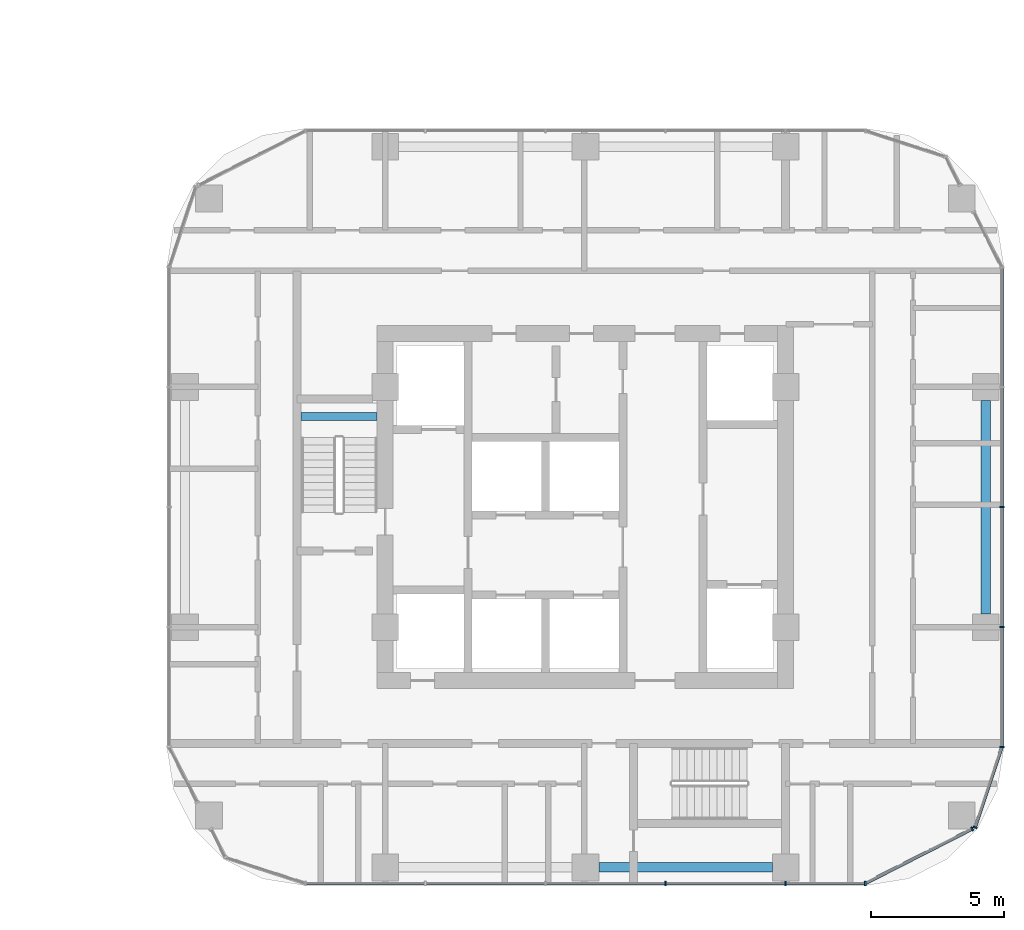
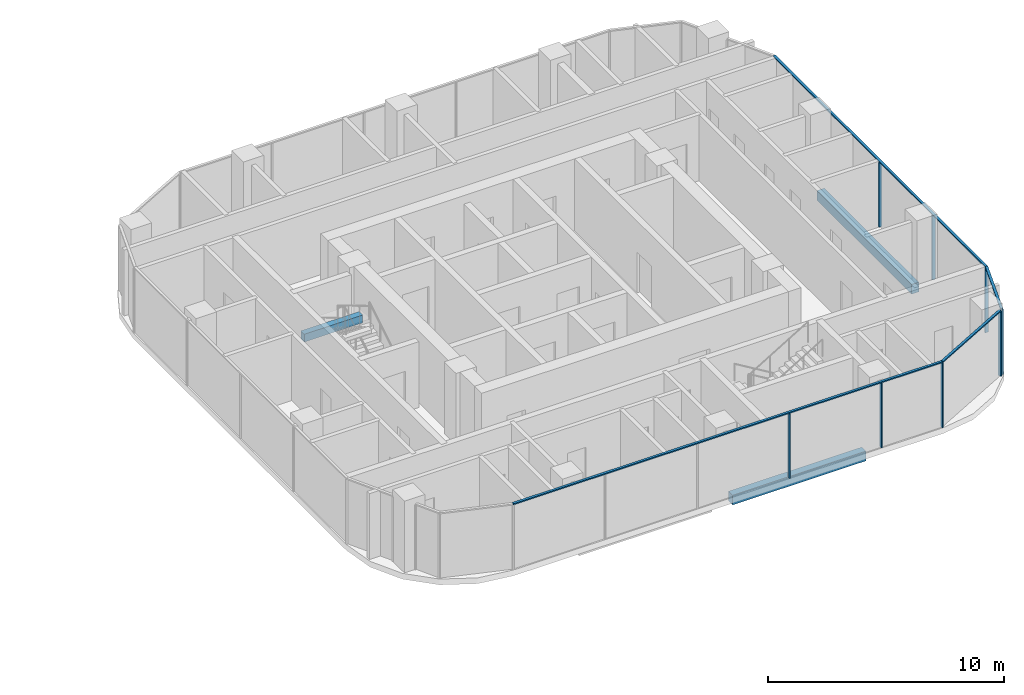
# One storey, part 9 of 31: 12 members, 3 beams, 4 elements without a shape of their own.
"""IFC4 building model written with IfcOpenShell, lengths in metres."""

import ifcopenshell
import ifcopenshell.guid

model = None  # the IFC model being written
_history = None  # IfcOwnerHistory: only IFC2X3 demands one
_inside = {}  # id of a spatial element -> (the spatial element, [elements in it])
_under = {}  # id of a project, library or spatial element -> (it, [spatial elements below it])
_declared = {}  # id of a project -> (the project, [libraries it declares])
_typed = {}  # id of a type object -> (the type object, [elements of that type])
_made_of = {}  # id of a material, layer set ... -> (it, [elements and type objects made of it])


def new_model(schema):
    """Start an empty IFC model of exactly this schema.

    Asked for "IFC4X3", IfcOpenShell would pick the latest addendum, in which some entities
    have other attributes; the version numbers below select the first issue.
    IFC2X3 requires an IfcOwnerHistory on every rooted entity: one is made here for all.
    """
    global model, _history
    if schema == "IFC4X3":
        model = ifcopenshell.file(schema_version=(4, 3, 0, 0))
    else:
        model = ifcopenshell.file(schema=schema)
    _inside.clear()
    _under.clear()
    _declared.clear()
    _typed.clear()
    _made_of.clear()
    _history = None
    if model.schema == "IFC2X3":
        org = make("IfcOrganization", Name="unknown")
        user = make(
            "IfcPersonAndOrganization",
            ThePerson=make("IfcPerson", FamilyName="unknown"),
            TheOrganization=org,
        )
        app = make(
            "IfcApplication",
            ApplicationDeveloper=org,
            Version="unknown",
            ApplicationFullName="unknown",
            ApplicationIdentifier="unknown",
        )
        _history = make(
            "IfcOwnerHistory",
            OwningUser=user,
            OwningApplication=app,
            ChangeAction="ADDED",
            CreationDate=0,
        )
    return model


def make(cls, **values):
    """One entity of the class cls with the attributes given. An attribute that is None is left unset."""
    return model.create_entity(
        cls, **{name: value for name, value in values.items() if value is not None}
    )


def rooted(cls, **values):
    """An entity with a GlobalId (a new one), such as an element, a storey or a relation."""
    return make(cls, GlobalId=ifcopenshell.guid.new(), OwnerHistory=_history, **values)


def si_unit(unit_type, name, prefix=None):
    """IfcSIUnit, for example si_unit("LENGTHUNIT", "METRE", prefix="MILLI")."""
    return make("IfcSIUnit", UnitType=unit_type, Prefix=prefix, Name=name)


def assignment(units):
    """IfcUnitAssignment: the units of a project."""
    return None if units is None else make("IfcUnitAssignment", Units=units)


def point(xyz):
    """IfcCartesianPoint."""
    return None if xyz is None else make("IfcCartesianPoint", Coordinates=xyz)


def direction(xyz):
    """IfcDirection."""
    return None if xyz is None else make("IfcDirection", DirectionRatios=xyz)


def frame(location, z_axis=None, x_axis=None):
    """IfcAxis2Placement3D, a coordinate frame: its origin and axes. An axis left out is left unset."""
    return make(
        "IfcAxis2Placement3D",
        Location=point(location),
        Axis=direction(z_axis),
        RefDirection=direction(x_axis),
    )


def frame_2d(location, x_axis=None):
    """IfcAxis2Placement2D, a coordinate frame in the plane: its origin and x axis."""
    return make(
        "IfcAxis2Placement2D", Location=point(location), RefDirection=direction(x_axis)
    )


def origin():
    """The frame at (0, 0, 0) with its axes left unset."""
    return frame((0.0, 0.0, 0.0))


def origin_2d():
    """The frame at (0, 0) in the plane with its x axis left unset."""
    return frame_2d((0.0, 0.0))


def place(relative_to, where):
    """IfcLocalPlacement: puts the frame where relative to a parent placement (None: the world)."""
    return make(
        "IfcLocalPlacement", PlacementRelTo=relative_to, RelativePlacement=where
    )


def context(
    kind, dimensions, precision=None, world=None, true_north=None, identifier=None
):
    """IfcGeometricRepresentationContext, for example the 3D "Model" context."""
    return make(
        "IfcGeometricRepresentationContext",
        ContextIdentifier=identifier,
        ContextType=kind,
        CoordinateSpaceDimension=dimensions,
        Precision=precision,
        WorldCoordinateSystem=world,
        TrueNorth=true_north,
    )


def subcontext(parent, identifier, kind, view, scale=None):
    """IfcGeometricRepresentationSubContext, for example "Body" below "Model"."""
    return make(
        "IfcGeometricRepresentationSubContext",
        ContextIdentifier=identifier,
        ContextType=kind,
        ParentContext=parent,
        TargetScale=scale,
        TargetView=view,
    )


def project(units=None, contexts=None):
    """IfcProject with its units and contexts."""
    return rooted(
        "IfcProject",
        Name="project",
        RepresentationContexts=contexts,
        UnitsInContext=assignment(units),
    )


def spatial(cls, under=None, at=None, **own):
    """A site, building, storey or space (cls), placed at a placement, below another one or the project."""
    s = rooted(cls, ObjectPlacement=at, **own)
    if under is not None:
        _under.setdefault(under.id(), (under, []))[1].append(s)
    return s


def profile(cls, at=None, kind="AREA", **sizes):
    """A parametric profile (cls). Its sizes go by their IFC names, for example OverallWidth=200.0."""
    return make(cls, ProfileType=kind, Position=at, **sizes)


def rectangle(**sizes):
    """IfcRectangleProfileDef."""
    return profile("IfcRectangleProfileDef", **sizes)


def extrude(swept, where, along, depth):
    """IfcExtrudedAreaSolid: the profile swept, set in the frame where, extruded along a direction by depth."""
    return make(
        "IfcExtrudedAreaSolid",
        SweptArea=swept,
        Position=where,
        ExtrudedDirection=direction(along),
        Depth=depth,
    )


def shape(context_of_items, identifier, shape_type, items):
    """IfcShapeRepresentation: the items that make up one representation, for example the "Body"."""
    return make(
        "IfcShapeRepresentation",
        ContextOfItems=context_of_items,
        RepresentationIdentifier=identifier,
        RepresentationType=shape_type,
        Items=items,
    )


def material(Name=None, Category=None):
    """IfcMaterial."""
    return make("IfcMaterial", Name=Name, Category=Category)


def material_profile(
    of_material, cross_section, Name=None, Category=None, Priority=None
):
    """IfcMaterialProfile: a cross section and its material."""
    return make(
        "IfcMaterialProfile",
        Name=Name,
        Material=of_material,
        Profile=cross_section,
        Priority=Priority,
        Category=Category,
    )


def profile_set(profiles, Name=None, composite=None):
    """IfcMaterialProfileSet."""
    return make(
        "IfcMaterialProfileSet",
        Name=Name,
        MaterialProfiles=profiles,
        CompositeProfile=composite,
    )


def made_of(thing, what):
    """Note that an element or type object is made of a material, layer set ...; save() writes the relation."""
    if what is not None:
        _made_of.setdefault(what.id(), (what, []))[1].append(thing)
    return thing


def type_object(cls, material=None, **own):
    """A type object (cls), such as IfcWallType, which elements share."""
    return made_of(rooted(cls, **own), material)


def element(
    cls,
    number,
    at=None,
    inside=None,
    cuts=None,
    type_object=None,
    material=None,
    context=None,
    identifier="Body",
    shape_type=None,
    held_by="IfcProductDefinitionShape",
    body=None,
    shapes=None,
    **own,
):
    """One element of the class cls, such as IfcWall. Its Tag is "e" and its number.

    at: its placement. inside: the storey or other place that contains it. cuts: it is an
    opening in that element (IfcRelVoidsElement). A single representation is given by context,
    identifier, shape_type and body (its items); several are given by shapes. held_by: the class
    of the entity that holds the representations. save() writes the other relations.
    """
    e = rooted(cls, Tag="e%d" % number, ObjectPlacement=at, **own)
    if body is not None:
        shapes = [shape(context, identifier, shape_type, body)]
    if shapes is not None:
        e.Representation = make(held_by, Representations=shapes)
    if inside is not None:
        _inside.setdefault(inside.id(), (inside, []))[1].append(e)
    if cuts is not None:
        rooted(
            "IfcRelVoidsElement", RelatingBuildingElement=cuts, RelatedOpeningElement=e
        )
    if type_object is not None:
        _typed.setdefault(type_object.id(), (type_object, []))[1].append(e)
    return made_of(e, material)


def aggregate(whole, parts):
    """IfcRelAggregates: a whole, such as a stair, and the parts it consists of."""
    return rooted("IfcRelAggregates", RelatingObject=whole, RelatedObjects=parts)


def save(model, path):
    """Write the relations noted so far, then the file.

    IfcRelAggregates (storeys below a building ...), IfcRelContainedInSpatialStructure (elements
    in a storey), IfcRelDefinesByType, IfcRelAssociatesMaterial and IfcRelDeclares: one each for
    every whole, place, type object, material and project.
    """
    for whole, parts in _under.values():
        aggregate(whole, parts)
    for where, things in _inside.values():
        rooted(
            "IfcRelContainedInSpatialStructure",
            RelatedElements=things,
            RelatingStructure=where,
        )
    for kind, things in _typed.values():
        rooted("IfcRelDefinesByType", RelatedObjects=things, RelatingType=kind)
    for what, things in _made_of.values():
        rooted("IfcRelAssociatesMaterial", RelatedObjects=things, RelatingMaterial=what)
    for by, libraries in _declared.values():
        rooted("IfcRelDeclares", RelatingContext=by, RelatedDefinitions=libraries)
    model.write(path)


model = new_model("IFC4")

# Units and contexts
model_context = context("Model", 3, precision=1e-05, world=origin(), true_north=direction((0.0, 1.0)))
body_context = subcontext(model_context, "Body", "Model", "MODEL_VIEW")
ifc_project = project(units=[si_unit("LENGTHUNIT", "METRE"), si_unit("AREAUNIT", "SQUARE_METRE"), si_unit("VOLUMEUNIT", "CUBIC_METRE"), si_unit("PLANEANGLEUNIT", "RADIAN"), si_unit("MASSUNIT", "GRAM", prefix="KILO")], contexts=[model_context])

# Site, building, storey
site_placement = place(None, origin())
site = spatial("IfcSite", under=ifc_project, at=site_placement, CompositionType="ELEMENT")
building_placement = place(site_placement, origin())
building = spatial("IfcBuilding", under=site, at=building_placement, Name="Ogive Portal Towers", CompositionType="ELEMENT")
storey_placement = place(building_placement, frame((0.0, 0.0, 40.89990234375)))
storey = spatial("IfcBuildingStorey", under=building, at=storey_placement, Name="L08", CompositionType="ELEMENT", Elevation=40.89990234375)

# Beam
ifc_material_1 = material(Name="Concrete C40/50", Category="concrete")
ifc_material_profile_1 = material_profile(ifc_material_1, rectangle(XDim=0.300048828125, YDim=0.39990234375, at=origin_2d()), Name="RC 300x400")
ifc_profile_set_1 = profile_set([ifc_material_profile_1], Name="Concrete C40/50")
beam_type_1 = type_object("IfcBeamType", Name="BEAM RC 300x400", PredefinedType="BEAM", material=ifc_profile_set_1)
beam_1_placement = place(storey_placement, frame((125.85009765625, 34.39990234375, 1.4501953125), z_axis=(1.0, 0.0, 0.0), x_axis=(0.0, 1.0, 0.0)))
element("IfcBeam", 1, at=beam_1_placement, inside=storey, type_object=beam_type_1, Name="Landing beam L08", PredefinedType="BEAM", context=body_context, shape_type="SweptSolid", body=[
    extrude(rectangle(XDim=0.300048828125, YDim=0.39990234375, at=origin_2d()), origin(), (0.0, 0.0, 1.0), 2.849853515625),
])

# Curtain wall, members
ifc_material_2 = material(Name="Glass, clear low-iron insulated glazing", Category="glass")
curtain_wall_type = type_object("IfcCurtainWallType", Name="CW RESIDENCES RIBBON", PredefinedType="NOTDEFINED", material=ifc_material_2)
curtain_wall_1_placement = place(storey_placement, origin())
curtain_wall_1 = element("IfcCurtainWall", 2, at=curtain_wall_1_placement, inside=storey, type_object=curtain_wall_type, Name="B:L08:f02:cw0", PredefinedType="NOTDEFINED")
ifc_material_3 = material(Name="Aluminium 6063 anodised", Category="aluminium")
ifc_material_profile_2 = material_profile(ifc_material_3, rectangle(XDim=0.159912109375, YDim=0.06005859375, at=origin_2d()), Name="AL 60x160")
ifc_profile_set_2 = profile_set([ifc_material_profile_2], Name="Aluminium 6063 anodised")
member_type_1 = type_object("IfcMemberType", Name="CW MULLION 60x160", PredefinedType="MULLION", material=ifc_profile_set_2)
member_1_placement = place(storey_placement, frame((139.5, 16.89990234375, 0.0), z_axis=(0.0, 0.0, 1.0), x_axis=(0.0, 1.0, 0.0)))
member_1 = element("IfcMember", 3, at=member_1_placement, type_object=member_type_1, Name="mullion", PredefinedType="MULLION", context=body_context, shape_type="SweptSolid", body=[
    extrude(rectangle(XDim=0.159912109375, YDim=0.06005859375, at=origin_2d()), origin(), (0.0, 0.0, 1.0), 3.340087890625),
])
member_2_placement = place(storey_placement, frame((144.0, 16.89990234375, 0.0), z_axis=(0.0, 0.0, 1.0), x_axis=(0.0, 1.0, 0.0)))
member_2 = element("IfcMember", 4, at=member_2_placement, type_object=member_type_1, Name="mullion", PredefinedType="MULLION", context=body_context, shape_type="SweptSolid", body=[
    extrude(rectangle(XDim=0.159912109375, YDim=0.06005859375, at=origin_2d()), origin(), (0.0, 0.0, 1.0), 3.340087890625),
])
member_3_placement = place(storey_placement, frame((146.980712890625, 16.89990234375, 0.0), z_axis=(0.0, 0.0, 1.0), x_axis=(0.0, 1.0, 0.0)))
member_3 = element("IfcMember", 5, at=member_3_placement, type_object=member_type_1, Name="mullion", PredefinedType="MULLION", context=body_context, shape_type="SweptSolid", body=[
    extrude(rectangle(XDim=0.159912109375, YDim=0.06005859375, at=origin_2d()), origin(), (0.0, 0.0, 1.0), 3.340087890625),
])

curtain_wall_2_placement = place(storey_placement, origin())
curtain_wall_2 = element("IfcCurtainWall", 6, at=curtain_wall_2_placement, inside=storey, type_object=curtain_wall_type, Name="B:L08:f05:cw0", PredefinedType="NOTDEFINED")
member_4_placement = place(storey_placement, frame((152.10009765625, 22.0126953125, 0.0), z_axis=(0.0, 0.0, 1.0), x_axis=(-1.0, 0.0, 0.0)))
member_4 = element("IfcMember", 7, at=member_4_placement, type_object=member_type_1, Name="mullion", PredefinedType="MULLION", context=body_context, shape_type="SweptSolid", body=[
    extrude(rectangle(XDim=0.159912109375, YDim=0.06005859375, at=origin_2d()), origin(), (0.0, 0.0, 1.0), 3.340087890625),
])
member_5_placement = place(storey_placement, frame((152.10009765625, 26.5, 0.0), z_axis=(0.0, 0.0, 1.0), x_axis=(-1.0, 0.0, 0.0)))
member_5 = element("IfcMember", 8, at=member_5_placement, type_object=member_type_1, Name="mullion", PredefinedType="MULLION", context=body_context, shape_type="SweptSolid", body=[
    extrude(rectangle(XDim=0.159912109375, YDim=0.06005859375, at=origin_2d()), origin(), (0.0, 0.0, 1.0), 3.340087890625),
])
member_6_placement = place(storey_placement, frame((152.10009765625, 31.0, 0.0), z_axis=(0.0, 0.0, 1.0), x_axis=(-1.0, 0.0, 0.0)))
member_6 = element("IfcMember", 9, at=member_6_placement, type_object=member_type_1, Name="mullion", PredefinedType="MULLION", context=body_context, shape_type="SweptSolid", body=[
    extrude(rectangle(XDim=0.159912109375, YDim=0.06005859375, at=origin_2d()), origin(), (0.0, 0.0, 1.0), 3.340087890625),
])

# Curtain wall, member
curtain_wall_3_placement = place(storey_placement, origin())
curtain_wall_3 = element("IfcCurtainWall", 10, at=curtain_wall_3_placement, inside=storey, type_object=curtain_wall_type, Name="B:L08:f03:cwa~0", PredefinedType="NOTDEFINED")
member_7_placement = place(storey_placement, frame((150.988525390625, 18.94189453125, 0.0), z_axis=(0.0, 0.0, 1.0), x_axis=(-0.45399049974, 0.891006524188, 0.0)))
member_7 = element("IfcMember", 11, at=member_7_placement, type_object=member_type_1, Name="mullion", PredefinedType="MULLION", context=body_context, shape_type="SweptSolid", body=[
    extrude(rectangle(XDim=0.159912109375, YDim=0.06005859375, at=origin_2d()), origin(), (0.0, 0.0, 1.0), 3.340087890625),
])

curtain_wall_4_placement = place(storey_placement, origin())
curtain_wall_4 = element("IfcCurtainWall", 12, at=curtain_wall_4_placement, inside=storey, type_object=curtain_wall_type, Name="B:L08:f03:cwa~1", PredefinedType="NOTDEFINED")
member_8_placement = place(storey_placement, frame((151.09912109375, 18.998291015625, 0.0), z_axis=(0.0, 0.0, 1.0), x_axis=(-0.949039718769, 0.315156488428, 0.0)))
member_8 = element("IfcMember", 13, at=member_8_placement, type_object=member_type_1, Name="mullion", PredefinedType="MULLION", context=body_context, shape_type="SweptSolid", body=[
    extrude(rectangle(XDim=0.159912109375, YDim=0.06005859375, at=origin_2d()), origin(), (0.0, 0.0, 1.0), 3.340087890625),
])

# Member
ifc_material_profile_3 = material_profile(ifc_material_3, rectangle(XDim=0.1201171875, YDim=0.06005859375, at=origin_2d()), Name="AL 120x60")
ifc_profile_set_3 = profile_set([ifc_material_profile_3], Name="Aluminium 6063 anodised")
member_type_2 = type_object("IfcMemberType", Name="CW TRANSOM 60x120", PredefinedType="USERDEFINED", material=ifc_profile_set_3)
member_9_placement = place(storey_placement, frame((126.0126953125, 16.89990234375, 3.3701171875), z_axis=(1.0, 0.0, 0.0), x_axis=(0.0, 1.0, 0.0)))
member_9 = element("IfcMember", 14, at=member_9_placement, type_object=member_type_2, Name="transom", ObjectType="TRANSOM", PredefinedType="USERDEFINED", context=body_context, shape_type="SweptSolid", body=[
    extrude(rectangle(XDim=0.1201171875, YDim=0.06005859375, at=origin_2d()), origin(), (0.0, 0.0, 1.0), 20.968017578125),
])

aggregate(curtain_wall_1, [member_9, member_1, member_2, member_3])

member_10_placement = place(storey_placement, frame((152.10009765625, 22.0126953125, 3.3701171875), z_axis=(0.0, 1.0, 0.0), x_axis=(-1.0, 0.0, 0.0)))
member_10 = element("IfcMember", 15, at=member_10_placement, type_object=member_type_2, Name="transom", ObjectType="TRANSOM", PredefinedType="USERDEFINED", context=body_context, shape_type="SweptSolid", body=[
    extrude(rectangle(XDim=0.1201171875, YDim=0.06005859375, at=origin_2d()), origin(), (0.0, 0.0, 1.0), 17.968017578125),
])

aggregate(curtain_wall_2, [member_10, member_4, member_5, member_6])

member_11_placement = place(storey_placement, frame((146.980712890625, 16.89990234375, 3.3701171875), z_axis=(0.89101464276, 0.453974565792, 0.0), x_axis=(-0.453974565792, 0.89101464276, 0.0)))
member_11 = element("IfcMember", 16, at=member_11_placement, type_object=member_type_2, Name="transom", ObjectType="TRANSOM", PredefinedType="USERDEFINED", context=body_context, shape_type="SweptSolid", body=[
    extrude(rectangle(XDim=0.1201171875, YDim=0.06005859375, at=origin_2d()), origin(), (0.0, 0.0, 1.0), 4.498046875),
])

aggregate(curtain_wall_3, [member_11, member_7])

member_12_placement = place(storey_placement, frame((151.09912109375, 18.998291015625, 3.3701171875), z_axis=(0.315143772541, 0.949043941358, 0.0), x_axis=(-0.949043941358, 0.315143772541, 0.0)))
member_12 = element("IfcMember", 17, at=member_12_placement, type_object=member_type_2, Name="transom", ObjectType="TRANSOM", PredefinedType="USERDEFINED", context=body_context, shape_type="SweptSolid", body=[
    extrude(rectangle(XDim=0.1201171875, YDim=0.06005859375, at=origin_2d()), origin(), (0.0, 0.0, 1.0), 3.17626953125),
])

aggregate(curtain_wall_4, [member_12, member_8])

# Beams
ifc_material_4 = material(Name="Concrete C50/60", Category="concrete")
ifc_material_profile_4 = material_profile(ifc_material_4, rectangle(XDim=0.35009765625, YDim=0.5, at=origin_2d()), Name="RC 350x500")
ifc_profile_set_4 = profile_set([ifc_material_profile_4], Name="Concrete C50/60")
beam_type_2 = type_object("IfcBeamType", Name="SPANDREL BEAM RC 350x500", PredefinedType="BEAM", material=ifc_profile_set_4)
beam_2_placement = place(storey_placement, frame((137.0, 17.5, -0.5498046875), z_axis=(1.0, 0.0, 0.0), x_axis=(0.0, 1.0, 0.0)))
element("IfcBeam", 18, at=beam_2_placement, inside=storey, type_object=beam_type_2, Name="Spandrel beam L08", PredefinedType="BEAM", context=body_context, shape_type="SweptSolid", body=[
    extrude(rectangle(XDim=0.35009765625, YDim=0.5, at=origin_2d()), origin(), (0.0, 0.0, 1.0), 6.5),
])
beam_3_placement = place(storey_placement, frame((151.5, 27.0, -0.5498046875), z_axis=(0.0, 1.0, 0.0), x_axis=(-1.0, 0.0, 0.0)))
element("IfcBeam", 19, at=beam_3_placement, inside=storey, type_object=beam_type_2, Name="Spandrel beam L08", PredefinedType="BEAM", context=body_context, shape_type="SweptSolid", body=[
    extrude(rectangle(XDim=0.35009765625, YDim=0.5, at=origin_2d()), origin(), (0.0, 0.0, 1.0), 8.0),
])

save(model, "model.ifc")
